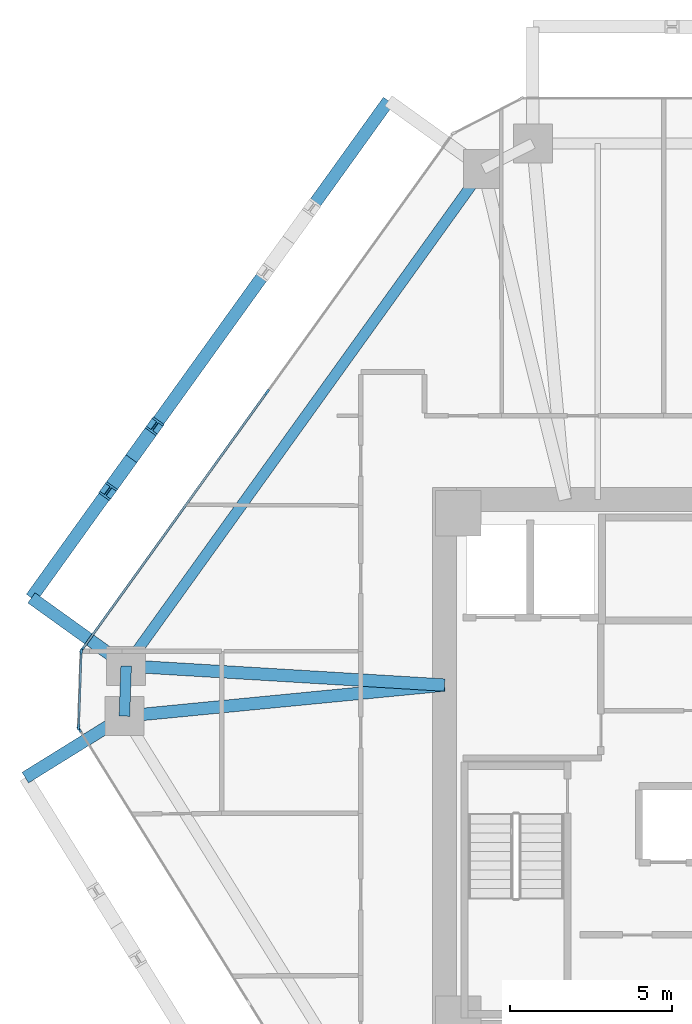
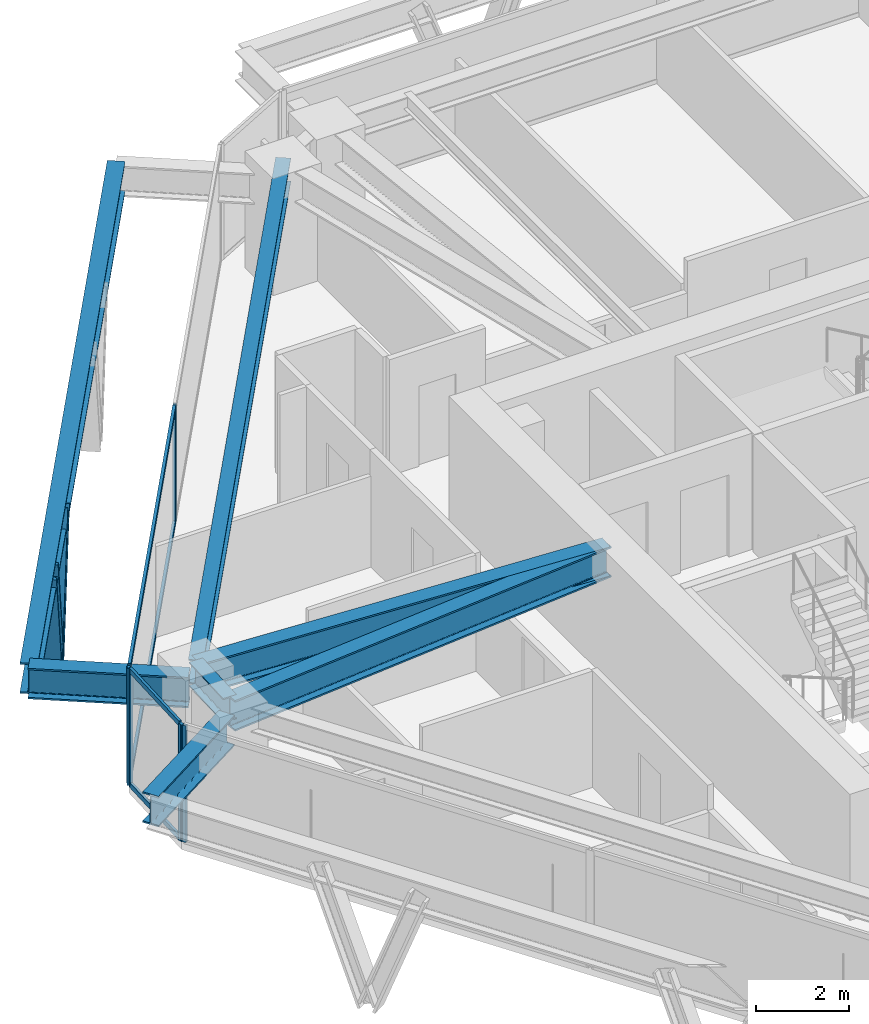
# One storey, part 4 of 14: 11 members, 7 beams, 3 elements without a shape of their own.
"""IFC4 building model written with IfcOpenShell, lengths in metres."""

from ifc_helpers import new_model, si_unit, direction, frame, origin, origin_2d, place, context, subcontext, project, spatial, rectangle, i_section, extrude, source, transform, mapped, material, layer, layer_set, material_profile, profile_set, type_object, type_shapes, element, aggregate, save


model = new_model("IFC4")

# Units and contexts
model_context = context("Model", 3, precision=1e-05, world=origin(), true_north=direction((0.0, 1.0)))
body_context = subcontext(model_context, "Body", "Model", "MODEL_VIEW")
ifc_project = project(units=[si_unit("LENGTHUNIT", "METRE"), si_unit("AREAUNIT", "SQUARE_METRE"), si_unit("VOLUMEUNIT", "CUBIC_METRE"), si_unit("PLANEANGLEUNIT", "RADIAN"), si_unit("MASSUNIT", "GRAM", prefix="KILO")], contexts=[model_context])

# Site, building, storey
site_placement = place(None, origin())
site = spatial("IfcSite", under=ifc_project, at=site_placement, CompositionType="ELEMENT")
building_placement = place(site_placement, origin())
building = spatial("IfcBuilding", under=site, at=building_placement, Name="Durnholm Broadcast Tower", CompositionType="ELEMENT")
storey_placement = place(building_placement, frame((0.0, 0.0, 127.199951171875)))
storey = spatial("IfcBuildingStorey", under=building, at=storey_placement, Name="L34", CompositionType="ELEMENT", Elevation=127.199951171875)

# Beams
ifc_material_1 = material(Name="Steel ASTM A992 Grade 50", Category="steel")
ifc_material_profile_1 = material_profile(ifc_material_1, i_section(OverallWidth=0.385009765625, OverallDepth=0.802978515625, WebThickness=0.023681640625, FlangeThickness=0.0419921875, FilletRadius=0.032958984375, at=origin_2d()), Name="W30X261")
ifc_profile_set_1 = profile_set([ifc_material_profile_1], Name="Steel ASTM A992 Grade 50")
beam_type_1 = type_object("IfcBeamType", Name="BM-EXO-TIE", PredefinedType="USERDEFINED", material=ifc_profile_set_1)
shared_shape_1 = source(origin(), body_context, "Body", "SweptSolid", [
    extrude(i_section(OverallWidth=0.385009765625, OverallDepth=0.802978515625, WebThickness=0.023681640625, FlangeThickness=0.0419921875, FilletRadius=0.032958984375, at=origin_2d()), origin(), (0.0, 0.0, 1.0), 3.4560546875),
])
for number, where, z_axis, x_axis, name in (
    (1, (-20.1669921875, 3.175048828125, 2.30859375), (-0.812164951739, 0.583427880005, 0.0), (-0.583427880005, -0.812164951739, 0.0), "L34 exoskeleton stand-off tie bracket F5.2"),
    (2, (-20.22509765625, 1.465576171875, 2.30859375), (-0.849795112316, -0.527113144481, 0.0), (0.527113144481, -0.849795112316, 0.0), "L34 exoskeleton stand-off tie bracket F6.1"),
):
    element("IfcBeam", number, at=place(storey_placement, frame(where, z_axis=z_axis, x_axis=x_axis)), inside=storey, type_object=beam_type_1, Name=name, ObjectType="GIRDER", PredefinedType="USERDEFINED", context=body_context, shape_type="MappedRepresentation", body=[
        mapped(shared_shape_1, transform((0.0, 0.0, 0.0), x_axis=(1.0, 0.0, 0.0), y_axis=(0.0, 1.0, 0.0), z_axis=(0.0, 0.0, 1.0), scale=1.0)),
    ])
ifc_material_profile_2 = material_profile(ifc_material_1, i_section(OverallWidth=0.3291015625, OverallDepth=0.635009765625, WebThickness=0.017822265625, FlangeThickness=0.031005859375, FilletRadius=0.02783203125, at=origin_2d()), Name="W24X162")
ifc_profile_set_2 = profile_set([ifc_material_profile_2], Name="Steel ASTM A992 Grade 50")
beam_type_2 = type_object("IfcBeamType", Name="STL-SP-W24X162", PredefinedType="SPANDREL", material=ifc_profile_set_2)
shared_shape_2 = source(origin(), body_context, "Body", "SweptSolid", [
    extrude(i_section(OverallWidth=0.3291015625, OverallDepth=0.635009765625, WebThickness=0.017822265625, FlangeThickness=0.031005859375, FilletRadius=0.02783203125, at=origin_2d()), origin(), (0.0, 0.0, 1.0), 1.550537109375),
])
beam_1_placement = place(storey_placement, frame((-20.102783203125, 1.54150390625, 2.7275390625), z_axis=(0.034012135923, 0.999421419928, 0.0), x_axis=(-0.999421419928, 0.034012135923, 0.0)))
element("IfcBeam", 3, at=beam_1_placement, inside=storey, type_object=beam_type_2, Name="L34 perimeter spandrel girder 02", PredefinedType="SPANDREL", context=body_context, shape_type="MappedRepresentation", body=[
    mapped(shared_shape_2, transform((0.0, 0.0, 0.0), x_axis=(1.0, 0.0, 0.0), y_axis=(0.0, 1.0, 0.0), z_axis=(0.0, 0.0, 1.0), scale=1.0)),
])
shared_shape_3 = source(origin(), body_context, "Body", "SweptSolid", [
    extrude(i_section(OverallWidth=0.3291015625, OverallDepth=0.635009765625, WebThickness=0.017822265625, FlangeThickness=0.031005859375, FilletRadius=0.02783203125, at=origin_2d()), origin(), (0.0, 0.0, 1.0), 18.884521484375),
])
type_shapes(beam_type_2, [shared_shape_2, shared_shape_3])
beam_2_placement = place(storey_placement, frame((-20.050048828125, 3.091064453125, 2.7275390625), z_axis=(0.583443434414, 0.812153777827, 0.0), x_axis=(-0.812153777827, 0.583443434414, 0.0)))
element("IfcBeam", 4, at=beam_2_placement, inside=storey, type_object=beam_type_2, Name="L34 perimeter spandrel girder 03", PredefinedType="SPANDREL", context=body_context, shape_type="MappedRepresentation", body=[
    mapped(shared_shape_3, transform((0.0, 0.0, 0.0), x_axis=(1.0, 0.0, 0.0), y_axis=(0.0, 1.0, 0.0), z_axis=(0.0, 0.0, 1.0), scale=1.0)),
])
ifc_material_profile_3 = material_profile(ifc_material_1, i_section(OverallWidth=0.385009765625, OverallDepth=0.802978515625, WebThickness=0.023681640625, FlangeThickness=0.0419921875, FilletRadius=0.032958984375, at=origin_2d()), Name="W30X261")
ifc_profile_set_3 = profile_set([ifc_material_profile_3], Name="Steel ASTM A992 Grade 50")
beam_type_3 = type_object("IfcBeamType", Name="STL-GR-W30X261", PredefinedType="USERDEFINED", material=ifc_profile_set_3)
shared_shape_4 = source(origin(), body_context, "Body", "SweptSolid", [
    extrude(i_section(OverallWidth=0.385009765625, OverallDepth=0.802978515625, WebThickness=0.023681640625, FlangeThickness=0.0419921875, FilletRadius=0.032958984375, at=origin_2d()), origin(), (0.0, 0.0, 1.0), 9.924072265625),
])
beam_3_placement = place(storey_placement, frame((-10.22509765625, 2.5, 2.6435546875), z_axis=(-0.995324947968, -0.096582855378, 0.0), x_axis=(0.096582855378, -0.995324947968, 0.0)))
element("IfcBeam", 5, at=beam_3_placement, inside=storey, type_object=beam_type_3, Name="L34 radial primary floor girder 02", ObjectType="GIRDER", PredefinedType="USERDEFINED", context=body_context, shape_type="MappedRepresentation", body=[
    mapped(shared_shape_4, transform((0.0, 0.0, 0.0), x_axis=(1.0, 0.0, 0.0), y_axis=(0.0, 1.0, 0.0), z_axis=(0.0, 0.0, 1.0), scale=1.0)),
])
shared_shape_5 = source(origin(), body_context, "Body", "SweptSolid", [
    extrude(i_section(OverallWidth=0.385009765625, OverallDepth=0.802978515625, WebThickness=0.023681640625, FlangeThickness=0.0419921875, FilletRadius=0.032958984375, at=origin_2d()), origin(), (0.0, 0.0, 1.0), 9.8427734375),
])
type_shapes(beam_type_3, [shared_shape_4, shared_shape_5])
beam_4_placement = place(storey_placement, frame((-10.22509765625, 2.5, 2.6435546875), z_axis=(-0.998195312551, 0.0600509617, 0.0), x_axis=(-0.0600509617, -0.998195312551, 0.0)))
element("IfcBeam", 6, at=beam_4_placement, inside=storey, type_object=beam_type_3, Name="L34 radial primary floor girder 03", ObjectType="GIRDER", PredefinedType="USERDEFINED", context=body_context, shape_type="MappedRepresentation", body=[
    mapped(shared_shape_5, transform((0.0, 0.0, 0.0), x_axis=(1.0, 0.0, 0.0), y_axis=(0.0, 1.0, 0.0), z_axis=(0.0, 0.0, 1.0), scale=1.0)),
])
shared_shape_6 = source(origin(), body_context, "Body", "SweptSolid", [
    extrude(i_section(OverallWidth=0.385009765625, OverallDepth=0.802978515625, WebThickness=0.023681640625, FlangeThickness=0.0419921875, FilletRadius=0.032958984375, at=origin_2d()), origin(), (0.0, 0.0, 1.0), 18.884765625),
])
type_shapes(beam_type_1, [shared_shape_1, shared_shape_6])
beam_5_placement = place(storey_placement, frame((-11.955810546875, 20.52880859375, 2.30859375), z_axis=(-0.583437308554, -0.812158178551, 0.0), x_axis=(0.812158178551, -0.583437308554, 0.0)))
element("IfcBeam", 7, at=beam_5_placement, inside=storey, type_object=beam_type_1, Name="L34 exoskeleton collector spandrel F5", PredefinedType="SPANDREL", context=body_context, shape_type="MappedRepresentation", body=[
    mapped(shared_shape_6, transform((0.0, 0.0, 0.0), x_axis=(1.0, 0.0, 0.0), y_axis=(0.0, 1.0, 0.0), z_axis=(0.0, 0.0, 1.0), scale=1.0)),
])

# Members
ifc_material_2 = material(Name="Steel ASTM A913 Grade 65", Category="steel")
ifc_material_profile_4 = material_profile(ifc_material_2, i_section(OverallWidth=0.41845703125, OverallDepth=0.455078125, WebThickness=0.0419921875, FlangeThickness=0.067626953125, FilletRadius=0.030517578125, at=origin_2d()), Name="W14X370")
ifc_profile_set_4 = profile_set([ifc_material_profile_4], Name="Steel ASTM A913 Grade 65")
member_type_1 = type_object("IfcMemberType", Name="STL-DG-W14X370", PredefinedType="BRACE", material=ifc_profile_set_4)
shared_shape_7 = source(origin(), body_context, "Body", "SweptSolid", [
    extrude(i_section(OverallWidth=0.41845703125, OverallDepth=0.455078125, WebThickness=0.0419921875, FlangeThickness=0.067626953125, FilletRadius=0.030517578125, at=origin_2d()), origin(), (0.0, 0.0, 1.0), 3.523193359375),
])
type_shapes(member_type_1, [shared_shape_7])
for number, where, z_axis, x_axis, name in (
    (8, (-19.888916015625, 9.48583984375, -0.991455078125), (0.204350195342, 0.284454917557, 0.936657033039), (-0.812153063014, 0.583444429434, 0.0), "L34 stand-off diagrid brace F5.D2.1"),
    (9, (-19.888916015625, 9.48583984375, -0.991455078125), (-0.204287819296, -0.284395254542, 0.936688756248), (0.812179469647, -0.583407669717, 0.0), "L34 stand-off diagrid brace F5.D2.2"),
):
    element("IfcMember", number, at=place(storey_placement, frame(where, z_axis=z_axis, x_axis=x_axis)), inside=storey, type_object=member_type_1, Name=name, PredefinedType="BRACE", context=body_context, shape_type="MappedRepresentation", body=[
        mapped(shared_shape_7, transform((0.0, 0.0, 0.0), x_axis=(1.0, 0.0, 0.0), y_axis=(0.0, 1.0, 0.0), z_axis=(0.0, 0.0, 1.0), scale=1.0)),
    ])

# Curtain wall, members
ifc_material_3 = material(Name="Aluminium and Solar Control IGU", Category="aluminium")
ifc_layer_1 = layer(ifc_material_3, 0.1650390625)
ifc_layer_set_1 = layer_set([ifc_layer_1], Name="Aluminium and Solar Control IGU")
curtain_wall_type_1 = type_object("IfcCurtainWallType", Name="CW-SYS-5", PredefinedType="NOTDEFINED", material=ifc_layer_set_1)
curtain_wall_1_placement = place(storey_placement, origin())
curtain_wall_1 = element("IfcCurtainWall", 10, at=curtain_wall_1_placement, inside=storey, type_object=curtain_wall_type_1, Name="L34 curtain wall CW-CORNER CW-L34-CRN-01", PredefinedType="NOTDEFINED")
ifc_material_4 = material(Name="Aluminium 6063-T6", Category="aluminium")
ifc_material_profile_5 = material_profile(ifc_material_4, rectangle(XDim=0.06494140625, YDim=0.1650390625, at=origin_2d()), Name="CWM65X165")
ifc_profile_set_5 = profile_set([ifc_material_profile_5], Name="Aluminium 6063-T6")
member_type_2 = type_object("IfcMemberType", Name="CW-SYS-5-MUL", PredefinedType="MULLION", material=ifc_profile_set_5)
shared_shape_8 = source(origin(), body_context, "Body", "SweptSolid", [
    extrude(rectangle(XDim=0.06494140625, YDim=0.1650390625, at=origin_2d()), origin(), (0.0, 0.0, 1.0), 3.06005859375),
])
type_shapes(member_type_2, [shared_shape_8])
member_1_placement = place(storey_placement, frame((-21.51513671875, 1.19677734375, 0.0), z_axis=(0.0, 0.0, 1.0), x_axis=(-0.999424655155, 0.033916937775, 0.0)))
member_1 = element("IfcMember", 11, at=member_1_placement, type_object=member_type_2, Name="CW-CORNER mullion 1", PredefinedType="MULLION", context=body_context, shape_type="MappedRepresentation", body=[
    mapped(shared_shape_8, transform((0.0, 0.0, 0.0), x_axis=(1.0, 0.0, 0.0), y_axis=(0.0, 1.0, 0.0), z_axis=(0.0, 0.0, 1.0), scale=1.0)),
])
member_2_placement = place(storey_placement, frame((-21.43603515625, 3.530517578125, 0.0), z_axis=(0.0, 0.0, 1.0), x_axis=(-0.999424655155, 0.033916937775, 0.0)))
member_2 = element("IfcMember", 12, at=member_2_placement, type_object=member_type_2, Name="CW-CORNER mullion 2", PredefinedType="MULLION", context=body_context, shape_type="MappedRepresentation", body=[
    mapped(shared_shape_8, transform((0.0, 0.0, 0.0), x_axis=(1.0, 0.0, 0.0), y_axis=(0.0, 1.0, 0.0), z_axis=(0.0, 0.0, 1.0), scale=1.0)),
])

ifc_layer_2 = layer(ifc_material_3, 0.18994140625)
ifc_layer_set_2 = layer_set([ifc_layer_2], Name="Aluminium and Solar Control IGU")
curtain_wall_type_2 = type_object("IfcCurtainWallType", Name="CW-SYS-3", PredefinedType="NOTDEFINED", material=ifc_layer_set_2)
curtain_wall_2_placement = place(storey_placement, origin())
curtain_wall_2 = element("IfcCurtainWall", 13, at=curtain_wall_2_placement, inside=storey, type_object=curtain_wall_type_2, Name="L34 curtain wall CW-Z12-VIS CW-L34-F02", PredefinedType="NOTDEFINED")
ifc_material_profile_6 = material_profile(ifc_material_4, rectangle(XDim=0.070068359375, YDim=0.18994140625, at=origin_2d()), Name="CWM70X190")
ifc_profile_set_6 = profile_set([ifc_material_profile_6], Name="Aluminium 6063-T6")
member_type_3 = type_object("IfcMemberType", Name="CW-SYS-3-MUL", PredefinedType="MULLION", material=ifc_profile_set_6)
shared_shape_9 = source(origin(), body_context, "Body", "SweptSolid", [
    extrude(rectangle(XDim=0.070068359375, YDim=0.18994140625, at=origin_2d()), origin(), (0.0, 0.0, 1.0), 3.06005859375),
])
type_shapes(member_type_3, [shared_shape_9])
member_3_placement = place(storey_placement, frame((-21.41455078125, 3.59130859375, 0.0), z_axis=(0.0, 0.0, 1.0), x_axis=(-0.812152312759, 0.583445473786, 0.0)))
member_3 = element("IfcMember", 14, at=member_3_placement, type_object=member_type_3, Name="CW-Z12-VIS mullion 1", PredefinedType="MULLION", context=body_context, shape_type="MappedRepresentation", body=[
    mapped(shared_shape_9, transform((0.0, 0.0, 0.0), x_axis=(1.0, 0.0, 0.0), y_axis=(0.0, 1.0, 0.0), z_axis=(0.0, 0.0, 1.0), scale=1.0)),
])
member_4_placement = place(storey_placement, frame((-15.703369140625, 11.541259765625, 0.0), z_axis=(0.0, 0.0, 1.0), x_axis=(-0.812152312759, 0.583445473786, 0.0)))
member_4 = element("IfcMember", 15, at=member_4_placement, type_object=member_type_3, Name="CW-Z12-VIS mullion 2", PredefinedType="MULLION", context=body_context, shape_type="MappedRepresentation", body=[
    mapped(shared_shape_9, transform((0.0, 0.0, 0.0), x_axis=(1.0, 0.0, 0.0), y_axis=(0.0, 1.0, 0.0), z_axis=(0.0, 0.0, 1.0), scale=1.0)),
])

# Curtain wall, member
curtain_wall_3_placement = place(storey_placement, origin())
curtain_wall_3 = element("IfcCurtainWall", 16, at=curtain_wall_3_placement, inside=storey, type_object=curtain_wall_type_2, Name="L34 curtain wall CW-Z12-VIS CW-L34-F12", PredefinedType="NOTDEFINED")
member_5_placement = place(storey_placement, frame((-21.497802734375, 1.134765625, 0.0), z_axis=(0.0, 0.0, 1.0), x_axis=(-0.849799925229, -0.527105385176, 0.0)))
member_5 = element("IfcMember", 17, at=member_5_placement, type_object=member_type_3, Name="CW-Z12-VIS mullion 3", PredefinedType="MULLION", context=body_context, shape_type="MappedRepresentation", body=[
    mapped(shared_shape_9, transform((0.0, 0.0, 0.0), x_axis=(1.0, 0.0, 0.0), y_axis=(0.0, 1.0, 0.0), z_axis=(0.0, 0.0, 1.0), scale=1.0)),
])
aggregate(curtain_wall_3, [member_5])

# Member
ifc_material_profile_7 = material_profile(ifc_material_4, rectangle(XDim=0.06494140625, YDim=0.1298828125, at=origin_2d()), Name="CWT65X130")
ifc_profile_set_7 = profile_set([ifc_material_profile_7], Name="Aluminium 6063-T6")
member_type_4 = type_object("IfcMemberType", Name="CW-SYS-5-TRN", PredefinedType="USERDEFINED", material=ifc_profile_set_7)
shared_shape_10 = source(origin(), body_context, "Body", "SweptSolid", [
    extrude(rectangle(XDim=0.06494140625, YDim=0.1298828125, at=origin_2d()), origin(), (0.0, 0.0, 1.0), 2.27001953125),
])
type_shapes(member_type_4, [shared_shape_10])
member_6_placement = place(storey_placement, frame((-21.51416015625, 1.229248046875, 0.032470703125), z_axis=(0.03398444704, 0.999422361847, 0.0), x_axis=(-0.999422361847, 0.03398444704, 0.0)))
member_6 = element("IfcMember", 18, at=member_6_placement, type_object=member_type_4, Name="CW-CORNER transom 1.1", ObjectType="TRANSOM", PredefinedType="USERDEFINED", context=body_context, shape_type="MappedRepresentation", body=[
    mapped(shared_shape_10, transform((0.0, 0.0, 0.0), x_axis=(1.0, 0.0, 0.0), y_axis=(0.0, 1.0, 0.0), z_axis=(0.0, 0.0, 1.0), scale=1.0)),
])

member_7_placement = place(storey_placement, frame((-21.51416015625, 1.229248046875, 3.027587890625), z_axis=(0.03398444704, 0.999422361847, 0.0), x_axis=(-0.999422361847, 0.03398444704, 0.0)))
member_7 = element("IfcMember", 19, at=member_7_placement, type_object=member_type_4, Name="CW-CORNER transom 1.2", ObjectType="TRANSOM", PredefinedType="USERDEFINED", context=body_context, shape_type="MappedRepresentation", body=[
    mapped(shared_shape_10, transform((0.0, 0.0, 0.0), x_axis=(1.0, 0.0, 0.0), y_axis=(0.0, 1.0, 0.0), z_axis=(0.0, 0.0, 1.0), scale=1.0)),
])

aggregate(curtain_wall_1, [member_1, member_2, member_6, member_7])

ifc_material_profile_8 = material_profile(ifc_material_4, rectangle(XDim=0.070068359375, YDim=0.14990234375, at=origin_2d()), Name="CWT70X150")
ifc_profile_set_8 = profile_set([ifc_material_profile_8], Name="Aluminium 6063-T6")
member_type_5 = type_object("IfcMemberType", Name="CW-SYS-3-TRN", PredefinedType="USERDEFINED", material=ifc_profile_set_8)
shared_shape_11 = source(origin(), body_context, "Body", "SweptSolid", [
    extrude(rectangle(XDim=0.070068359375, YDim=0.14990234375, at=origin_2d()), origin(), (0.0, 0.0, 1.0), 9.71875),
])
type_shapes(member_type_5, [shared_shape_11])
member_8_placement = place(storey_placement, frame((-21.39404296875, 3.619873046875, 0.03515625), z_axis=(0.583450726174, 0.812148539448, 0.0), x_axis=(-0.812148539448, 0.583450726174, 0.0)))
member_8 = element("IfcMember", 20, at=member_8_placement, type_object=member_type_5, Name="CW-Z12-VIS transom 1.1", ObjectType="TRANSOM", PredefinedType="USERDEFINED", context=body_context, shape_type="MappedRepresentation", body=[
    mapped(shared_shape_11, transform((0.0, 0.0, 0.0), x_axis=(1.0, 0.0, 0.0), y_axis=(0.0, 1.0, 0.0), z_axis=(0.0, 0.0, 1.0), scale=1.0)),
])

member_9_placement = place(storey_placement, frame((-21.39404296875, 3.619873046875, 3.025146484375), z_axis=(0.583450726174, 0.812148539448, 0.0), x_axis=(-0.812148539448, 0.583450726174, 0.0)))
member_9 = element("IfcMember", 21, at=member_9_placement, type_object=member_type_5, Name="CW-Z12-VIS transom 1.2", ObjectType="TRANSOM", PredefinedType="USERDEFINED", context=body_context, shape_type="MappedRepresentation", body=[
    mapped(shared_shape_11, transform((0.0, 0.0, 0.0), x_axis=(1.0, 0.0, 0.0), y_axis=(0.0, 1.0, 0.0), z_axis=(0.0, 0.0, 1.0), scale=1.0)),
])

aggregate(curtain_wall_2, [member_3, member_4, member_8, member_9])

save(model, "model.ifc")
